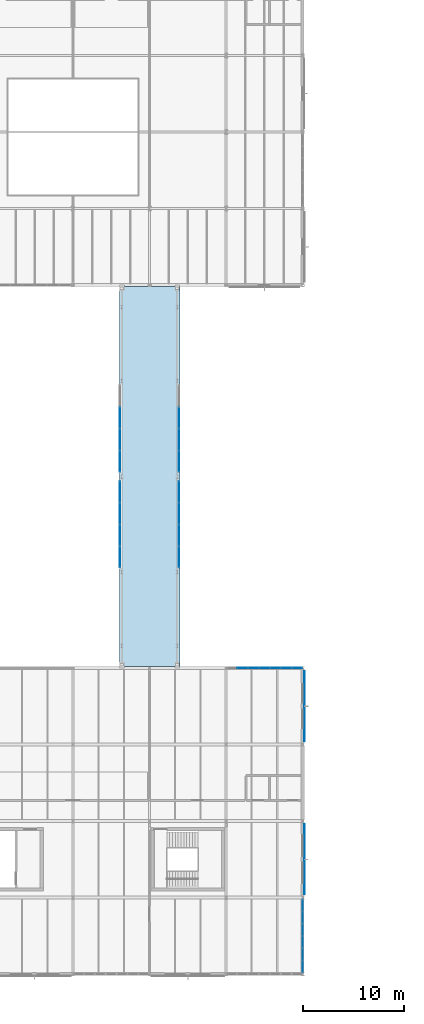
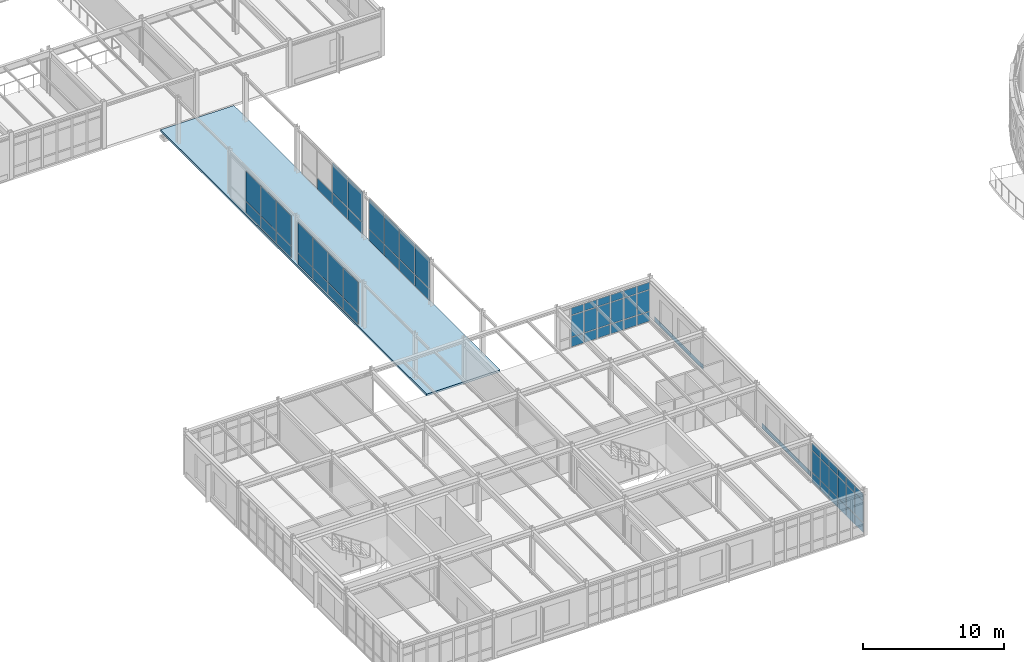
# One storey, part 120 of 165: 65 plates, 1 slab, 6 elements without a shape of their own.
"""IFC4 building model written with IfcOpenShell, lengths in metres."""

import ifcopenshell
import ifcopenshell.guid

model = None  # the IFC model being written
_history = None  # IfcOwnerHistory: only IFC2X3 demands one
_inside = {}  # id of a spatial element -> (the spatial element, [elements in it])
_under = {}  # id of a project, library or spatial element -> (it, [spatial elements below it])
_declared = {}  # id of a project -> (the project, [libraries it declares])
_typed = {}  # id of a type object -> (the type object, [elements of that type])
_made_of = {}  # id of a material, layer set ... -> (it, [elements and type objects made of it])


def new_model(schema):
    """Start an empty IFC model of exactly this schema.

    Asked for "IFC4X3", IfcOpenShell would pick the latest addendum, in which some entities
    have other attributes; the version numbers below select the first issue.
    IFC2X3 requires an IfcOwnerHistory on every rooted entity: one is made here for all.
    """
    global model, _history
    if schema == "IFC4X3":
        model = ifcopenshell.file(schema_version=(4, 3, 0, 0))
    else:
        model = ifcopenshell.file(schema=schema)
    _inside.clear()
    _under.clear()
    _declared.clear()
    _typed.clear()
    _made_of.clear()
    _history = None
    if model.schema == "IFC2X3":
        org = make("IfcOrganization", Name="unknown")
        user = make(
            "IfcPersonAndOrganization",
            ThePerson=make("IfcPerson", FamilyName="unknown"),
            TheOrganization=org,
        )
        app = make(
            "IfcApplication",
            ApplicationDeveloper=org,
            Version="unknown",
            ApplicationFullName="unknown",
            ApplicationIdentifier="unknown",
        )
        _history = make(
            "IfcOwnerHistory",
            OwningUser=user,
            OwningApplication=app,
            ChangeAction="ADDED",
            CreationDate=0,
        )
    return model


def make(cls, **values):
    """One entity of the class cls with the attributes given. An attribute that is None is left unset."""
    return model.create_entity(
        cls, **{name: value for name, value in values.items() if value is not None}
    )


def rooted(cls, **values):
    """An entity with a GlobalId (a new one), such as an element, a storey or a relation."""
    return make(cls, GlobalId=ifcopenshell.guid.new(), OwnerHistory=_history, **values)


def si_unit(unit_type, name, prefix=None):
    """IfcSIUnit, for example si_unit("LENGTHUNIT", "METRE", prefix="MILLI")."""
    return make("IfcSIUnit", UnitType=unit_type, Prefix=prefix, Name=name)


def assignment(units):
    """IfcUnitAssignment: the units of a project."""
    return None if units is None else make("IfcUnitAssignment", Units=units)


def point(xyz):
    """IfcCartesianPoint."""
    return None if xyz is None else make("IfcCartesianPoint", Coordinates=xyz)


def direction(xyz):
    """IfcDirection."""
    return None if xyz is None else make("IfcDirection", DirectionRatios=xyz)


def frame(location, z_axis=None, x_axis=None):
    """IfcAxis2Placement3D, a coordinate frame: its origin and axes. An axis left out is left unset."""
    return make(
        "IfcAxis2Placement3D",
        Location=point(location),
        Axis=direction(z_axis),
        RefDirection=direction(x_axis),
    )


def frame_2d(location, x_axis=None):
    """IfcAxis2Placement2D, a coordinate frame in the plane: its origin and x axis."""
    return make(
        "IfcAxis2Placement2D", Location=point(location), RefDirection=direction(x_axis)
    )


def origin():
    """The frame at (0, 0, 0) with its axes left unset."""
    return frame((0.0, 0.0, 0.0))


def origin_2d():
    """The frame at (0, 0) in the plane with its x axis left unset."""
    return frame_2d((0.0, 0.0))


def place(relative_to, where):
    """IfcLocalPlacement: puts the frame where relative to a parent placement (None: the world)."""
    return make(
        "IfcLocalPlacement", PlacementRelTo=relative_to, RelativePlacement=where
    )


def context(
    kind, dimensions, precision=None, world=None, true_north=None, identifier=None
):
    """IfcGeometricRepresentationContext, for example the 3D "Model" context."""
    return make(
        "IfcGeometricRepresentationContext",
        ContextIdentifier=identifier,
        ContextType=kind,
        CoordinateSpaceDimension=dimensions,
        Precision=precision,
        WorldCoordinateSystem=world,
        TrueNorth=true_north,
    )


def subcontext(parent, identifier, kind, view, scale=None):
    """IfcGeometricRepresentationSubContext, for example "Body" below "Model"."""
    return make(
        "IfcGeometricRepresentationSubContext",
        ContextIdentifier=identifier,
        ContextType=kind,
        ParentContext=parent,
        TargetScale=scale,
        TargetView=view,
    )


def project(units=None, contexts=None):
    """IfcProject with its units and contexts."""
    return rooted(
        "IfcProject",
        Name="project",
        RepresentationContexts=contexts,
        UnitsInContext=assignment(units),
    )


def spatial(cls, under=None, at=None, **own):
    """A site, building, storey or space (cls), placed at a placement, below another one or the project."""
    s = rooted(cls, ObjectPlacement=at, **own)
    if under is not None:
        _under.setdefault(under.id(), (under, []))[1].append(s)
    return s


def polyline(points):
    """IfcPolyline through the points."""
    return make("IfcPolyline", Points=[point(p) for p in points])


def profile(cls, at=None, kind="AREA", **sizes):
    """A parametric profile (cls). Its sizes go by their IFC names, for example OverallWidth=200.0."""
    return make(cls, ProfileType=kind, Position=at, **sizes)


def rectangle(**sizes):
    """IfcRectangleProfileDef."""
    return profile("IfcRectangleProfileDef", **sizes)


def outline(outer, holes=None, kind="AREA"):
    """IfcArbitraryClosedProfileDef: a profile drawn as a closed curve; with holes, ...WithVoids."""
    if holes is None:
        return make("IfcArbitraryClosedProfileDef", ProfileType=kind, OuterCurve=outer)
    return make(
        "IfcArbitraryProfileDefWithVoids",
        ProfileType=kind,
        OuterCurve=outer,
        InnerCurves=holes,
    )


def extrude(swept, where, along, depth):
    """IfcExtrudedAreaSolid: the profile swept, set in the frame where, extruded along a direction by depth."""
    return make(
        "IfcExtrudedAreaSolid",
        SweptArea=swept,
        Position=where,
        ExtrudedDirection=direction(along),
        Depth=depth,
    )


def shape(context_of_items, identifier, shape_type, items):
    """IfcShapeRepresentation: the items that make up one representation, for example the "Body"."""
    return make(
        "IfcShapeRepresentation",
        ContextOfItems=context_of_items,
        RepresentationIdentifier=identifier,
        RepresentationType=shape_type,
        Items=items,
    )


def material(Name=None, Category=None):
    """IfcMaterial."""
    return make("IfcMaterial", Name=Name, Category=Category)


def layer(
    of_material, thickness, ventilated=None, Name=None, Category=None, Priority=None
):
    """IfcMaterialLayer: one layer of a wall or slab, of a material (None: an air gap)."""
    return make(
        "IfcMaterialLayer",
        Material=of_material,
        LayerThickness=thickness,
        IsVentilated=ventilated,
        Name=Name,
        Category=Category,
        Priority=Priority,
    )


def layer_set(layers, Name=None):
    """IfcMaterialLayerSet."""
    return make("IfcMaterialLayerSet", MaterialLayers=layers, LayerSetName=Name)


def made_of(thing, what):
    """Note that an element or type object is made of a material, layer set ...; save() writes the relation."""
    if what is not None:
        _made_of.setdefault(what.id(), (what, []))[1].append(thing)
    return thing


def type_object(cls, material=None, **own):
    """A type object (cls), such as IfcWallType, which elements share."""
    return made_of(rooted(cls, **own), material)


def element(
    cls,
    number,
    at=None,
    inside=None,
    cuts=None,
    type_object=None,
    material=None,
    context=None,
    identifier="Body",
    shape_type=None,
    held_by="IfcProductDefinitionShape",
    body=None,
    shapes=None,
    **own,
):
    """One element of the class cls, such as IfcWall. Its Tag is "e" and its number.

    at: its placement. inside: the storey or other place that contains it. cuts: it is an
    opening in that element (IfcRelVoidsElement). A single representation is given by context,
    identifier, shape_type and body (its items); several are given by shapes. held_by: the class
    of the entity that holds the representations. save() writes the other relations.
    """
    e = rooted(cls, Tag="e%d" % number, ObjectPlacement=at, **own)
    if body is not None:
        shapes = [shape(context, identifier, shape_type, body)]
    if shapes is not None:
        e.Representation = make(held_by, Representations=shapes)
    if inside is not None:
        _inside.setdefault(inside.id(), (inside, []))[1].append(e)
    if cuts is not None:
        rooted(
            "IfcRelVoidsElement", RelatingBuildingElement=cuts, RelatedOpeningElement=e
        )
    if type_object is not None:
        _typed.setdefault(type_object.id(), (type_object, []))[1].append(e)
    return made_of(e, material)


def aggregate(whole, parts):
    """IfcRelAggregates: a whole, such as a stair, and the parts it consists of."""
    return rooted("IfcRelAggregates", RelatingObject=whole, RelatedObjects=parts)


def save(model, path):
    """Write the relations noted so far, then the file.

    IfcRelAggregates (storeys below a building ...), IfcRelContainedInSpatialStructure (elements
    in a storey), IfcRelDefinesByType, IfcRelAssociatesMaterial and IfcRelDeclares: one each for
    every whole, place, type object, material and project.
    """
    for whole, parts in _under.values():
        aggregate(whole, parts)
    for where, things in _inside.values():
        rooted(
            "IfcRelContainedInSpatialStructure",
            RelatedElements=things,
            RelatingStructure=where,
        )
    for kind, things in _typed.values():
        rooted("IfcRelDefinesByType", RelatedObjects=things, RelatingType=kind)
    for what, things in _made_of.values():
        rooted("IfcRelAssociatesMaterial", RelatedObjects=things, RelatingMaterial=what)
    for by, libraries in _declared.values():
        rooted("IfcRelDeclares", RelatingContext=by, RelatedDefinitions=libraries)
    model.write(path)


model = new_model("IFC4")

# Units and contexts
model_context = context("Model", 3, precision=1e-05, world=origin(), true_north=direction((0.0, 1.0)))
body_context = subcontext(model_context, "Body", "Model", "MODEL_VIEW")
ifc_project = project(units=[si_unit("LENGTHUNIT", "METRE"), si_unit("AREAUNIT", "SQUARE_METRE"), si_unit("VOLUMEUNIT", "CUBIC_METRE"), si_unit("PLANEANGLEUNIT", "RADIAN"), si_unit("MASSUNIT", "GRAM", prefix="KILO")], contexts=[model_context])

# Site, building, storey
site_placement = place(None, origin())
site = spatial("IfcSite", under=ifc_project, at=site_placement, CompositionType="ELEMENT")
building_placement = place(site_placement, origin())
building = spatial("IfcBuilding", under=site, at=building_placement, Name="Montecoro Central Library", CompositionType="ELEMENT")
storey_placement = place(building_placement, frame((0.0, 0.0, 5.10009765625)))
storey = spatial("IfcBuildingStorey", under=building, at=storey_placement, Name="L01", CompositionType="ELEMENT", Elevation=5.10009765625)

# Curtain wall, plates
ifc_material_1 = material(Name="Bronze-anodised aluminium and low-E glazing", Category="aluminium")
ifc_layer_1 = layer(ifc_material_1, 0.159912109375)
ifc_layer_set_1 = layer_set([ifc_layer_1], Name="Bronze-anodised aluminium and low-E glazing")
curtain_wall_type_1 = type_object("IfcCurtainWallType", Name="CWT-031", PredefinedType="NOTDEFINED", material=ifc_layer_set_1)
curtain_wall_1_placement = place(storey_placement, origin())
curtain_wall_1 = element("IfcCurtainWall", 1, at=curtain_wall_1_placement, inside=storey, type_object=curtain_wall_type_1, Name="V3-L01-CW-N4", PredefinedType="NOTDEFINED")
ifc_material_2 = material(Name="Laminated low-E double glazing", Category="glass")
ifc_layer_2 = layer(ifc_material_2, 0.02587890625)
ifc_layer_set_2 = layer_set([ifc_layer_2], Name="Laminated low-E double glazing")
plate_type_1 = type_object("IfcPlateType", Name="CWP-GLZ-01", PredefinedType="CURTAIN_PANEL", material=ifc_layer_set_2)
plate_1_placement = place(storey_placement, frame((42.438720703125, 35.39990234375, 0.059814453125), z_axis=(0.0, 0.0, 1.0), x_axis=(-1.0, 0.0, 0.0)))
plate_1 = element("IfcPlate", 2, at=plate_1_placement, type_object=plate_type_1, Name="CW-031 panel 1.1", PredefinedType="CURTAIN_PANEL", context=body_context, shape_type="SweptSolid", body=[
    extrude(rectangle(XDim=0.99462890625, YDim=0.02587890625, at=origin_2d()), origin(), (0.0, 0.0, 1.0), 0.81005859375),
])
plate_2_placement = place(storey_placement, frame((42.438720703125, 35.39990234375, 0.9296875), z_axis=(0.0, 0.0, 1.0), x_axis=(-1.0, 0.0, 0.0)))
plate_2 = element("IfcPlate", 3, at=plate_2_placement, type_object=plate_type_1, Name="CW-031 panel 1.2", PredefinedType="CURTAIN_PANEL", context=body_context, shape_type="SweptSolid", body=[
    extrude(rectangle(XDim=0.99462890625, YDim=0.02587890625, at=origin_2d()), origin(), (0.0, 0.0, 1.0), 1.820068359375),
])
plate_3_placement = place(storey_placement, frame((42.438720703125, 35.39990234375, 2.81005859375), z_axis=(0.0, 0.0, 1.0), x_axis=(-1.0, 0.0, 0.0)))
plate_3 = element("IfcPlate", 4, at=plate_3_placement, type_object=plate_type_1, Name="CW-031 panel 1.3", PredefinedType="CURTAIN_PANEL", context=body_context, shape_type="SweptSolid", body=[
    extrude(rectangle(XDim=0.99462890625, YDim=0.02587890625, at=origin_2d()), origin(), (0.0, 0.0, 1.0), 0.610107421875),
])
plate_4_placement = place(storey_placement, frame((41.369140625, 35.39990234375, 0.059814453125), z_axis=(0.0, 0.0, 1.0), x_axis=(-1.0, 0.0, 0.0)))
plate_4 = element("IfcPlate", 5, at=plate_4_placement, type_object=plate_type_1, Name="CW-031 panel 2.1", PredefinedType="CURTAIN_PANEL", context=body_context, shape_type="SweptSolid", body=[
    extrude(rectangle(XDim=1.024658203125, YDim=0.02587890625, at=origin_2d()), origin(), (0.0, 0.0, 1.0), 0.81005859375),
])
plate_5_placement = place(storey_placement, frame((41.369140625, 35.39990234375, 0.9296875), z_axis=(0.0, 0.0, 1.0), x_axis=(-1.0, 0.0, 0.0)))
plate_5 = element("IfcPlate", 6, at=plate_5_placement, type_object=plate_type_1, Name="CW-031 panel 2.2", PredefinedType="CURTAIN_PANEL", context=body_context, shape_type="SweptSolid", body=[
    extrude(rectangle(XDim=1.024658203125, YDim=0.02587890625, at=origin_2d()), origin(), (0.0, 0.0, 1.0), 1.820068359375),
])
plate_6_placement = place(storey_placement, frame((41.369140625, 35.39990234375, 2.81005859375), z_axis=(0.0, 0.0, 1.0), x_axis=(-1.0, 0.0, 0.0)))
plate_6 = element("IfcPlate", 7, at=plate_6_placement, type_object=plate_type_1, Name="CW-031 panel 2.3", PredefinedType="CURTAIN_PANEL", context=body_context, shape_type="SweptSolid", body=[
    extrude(rectangle(XDim=1.024658203125, YDim=0.02587890625, at=origin_2d()), origin(), (0.0, 0.0, 1.0), 0.610107421875),
])
plate_7_placement = place(storey_placement, frame((40.28466796875, 35.39990234375, 0.059814453125), z_axis=(0.0, 0.0, 1.0), x_axis=(-1.0, 0.0, 0.0)))
plate_7 = element("IfcPlate", 8, at=plate_7_placement, type_object=plate_type_1, Name="CW-031 panel 3.1", PredefinedType="CURTAIN_PANEL", context=body_context, shape_type="SweptSolid", body=[
    extrude(rectangle(XDim=1.024658203125, YDim=0.02587890625, at=origin_2d()), origin(), (0.0, 0.0, 1.0), 0.81005859375),
])
plate_8_placement = place(storey_placement, frame((40.28466796875, 35.39990234375, 0.9296875), z_axis=(0.0, 0.0, 1.0), x_axis=(-1.0, 0.0, 0.0)))
plate_8 = element("IfcPlate", 9, at=plate_8_placement, type_object=plate_type_1, Name="CW-031 panel 3.2", PredefinedType="CURTAIN_PANEL", context=body_context, shape_type="SweptSolid", body=[
    extrude(rectangle(XDim=1.024658203125, YDim=0.02587890625, at=origin_2d()), origin(), (0.0, 0.0, 1.0), 1.820068359375),
])
plate_9_placement = place(storey_placement, frame((40.28466796875, 35.39990234375, 2.81005859375), z_axis=(0.0, 0.0, 1.0), x_axis=(-1.0, 0.0, 0.0)))
plate_9 = element("IfcPlate", 10, at=plate_9_placement, type_object=plate_type_1, Name="CW-031 panel 3.3", PredefinedType="CURTAIN_PANEL", context=body_context, shape_type="SweptSolid", body=[
    extrude(rectangle(XDim=1.024658203125, YDim=0.02587890625, at=origin_2d()), origin(), (0.0, 0.0, 1.0), 0.610107421875),
])
plate_10_placement = place(storey_placement, frame((39.199951171875, 35.39990234375, 0.059814453125), z_axis=(0.0, 0.0, 1.0), x_axis=(-1.0, 0.0, 0.0)))
plate_10 = element("IfcPlate", 11, at=plate_10_placement, type_object=plate_type_1, Name="CW-031 panel 4.1", PredefinedType="CURTAIN_PANEL", context=body_context, shape_type="SweptSolid", body=[
    extrude(rectangle(XDim=1.024658203125, YDim=0.02587890625, at=origin_2d()), origin(), (0.0, 0.0, 1.0), 0.81005859375),
])
plate_11_placement = place(storey_placement, frame((39.199951171875, 35.39990234375, 0.9296875), z_axis=(0.0, 0.0, 1.0), x_axis=(-1.0, 0.0, 0.0)))
plate_11 = element("IfcPlate", 12, at=plate_11_placement, type_object=plate_type_1, Name="CW-031 panel 4.2", PredefinedType="CURTAIN_PANEL", context=body_context, shape_type="SweptSolid", body=[
    extrude(rectangle(XDim=1.024658203125, YDim=0.02587890625, at=origin_2d()), origin(), (0.0, 0.0, 1.0), 1.820068359375),
])
plate_12_placement = place(storey_placement, frame((39.199951171875, 35.39990234375, 2.81005859375), z_axis=(0.0, 0.0, 1.0), x_axis=(-1.0, 0.0, 0.0)))
plate_12 = element("IfcPlate", 13, at=plate_12_placement, type_object=plate_type_1, Name="CW-031 panel 4.3", PredefinedType="CURTAIN_PANEL", context=body_context, shape_type="SweptSolid", body=[
    extrude(rectangle(XDim=1.024658203125, YDim=0.02587890625, at=origin_2d()), origin(), (0.0, 0.0, 1.0), 0.610107421875),
])
plate_13_placement = place(storey_placement, frame((38.115478515625, 35.39990234375, 0.059814453125), z_axis=(0.0, 0.0, 1.0), x_axis=(-1.0, 0.0, 0.0)))
plate_13 = element("IfcPlate", 14, at=plate_13_placement, type_object=plate_type_1, Name="CW-031 panel 5.1", PredefinedType="CURTAIN_PANEL", context=body_context, shape_type="SweptSolid", body=[
    extrude(rectangle(XDim=1.024658203125, YDim=0.02587890625, at=origin_2d()), origin(), (0.0, 0.0, 1.0), 0.81005859375),
])
plate_14_placement = place(storey_placement, frame((38.115478515625, 35.39990234375, 0.9296875), z_axis=(0.0, 0.0, 1.0), x_axis=(-1.0, 0.0, 0.0)))
plate_14 = element("IfcPlate", 15, at=plate_14_placement, type_object=plate_type_1, Name="CW-031 panel 5.2", PredefinedType="CURTAIN_PANEL", context=body_context, shape_type="SweptSolid", body=[
    extrude(rectangle(XDim=1.024658203125, YDim=0.02587890625, at=origin_2d()), origin(), (0.0, 0.0, 1.0), 1.820068359375),
])
plate_15_placement = place(storey_placement, frame((38.115478515625, 35.39990234375, 2.81005859375), z_axis=(0.0, 0.0, 1.0), x_axis=(-1.0, 0.0, 0.0)))
plate_15 = element("IfcPlate", 16, at=plate_15_placement, type_object=plate_type_1, Name="CW-031 panel 5.3", PredefinedType="CURTAIN_PANEL", context=body_context, shape_type="SweptSolid", body=[
    extrude(rectangle(XDim=1.024658203125, YDim=0.02587890625, at=origin_2d()), origin(), (0.0, 0.0, 1.0), 0.610107421875),
])
plate_16_placement = place(storey_placement, frame((37.03076171875, 35.39990234375, 0.059814453125), z_axis=(0.0, 0.0, 1.0), x_axis=(-1.0, 0.0, 0.0)))
plate_16 = element("IfcPlate", 17, at=plate_16_placement, type_object=plate_type_1, Name="CW-031 panel 6.1", PredefinedType="CURTAIN_PANEL", context=body_context, shape_type="SweptSolid", body=[
    extrude(rectangle(XDim=1.024658203125, YDim=0.02587890625, at=origin_2d()), origin(), (0.0, 0.0, 1.0), 0.81005859375),
])
plate_17_placement = place(storey_placement, frame((37.03076171875, 35.39990234375, 0.9296875), z_axis=(0.0, 0.0, 1.0), x_axis=(-1.0, 0.0, 0.0)))
plate_17 = element("IfcPlate", 18, at=plate_17_placement, type_object=plate_type_1, Name="CW-031 panel 6.2", PredefinedType="CURTAIN_PANEL", context=body_context, shape_type="SweptSolid", body=[
    extrude(rectangle(XDim=1.024658203125, YDim=0.02587890625, at=origin_2d()), origin(), (0.0, 0.0, 1.0), 1.820068359375),
])
plate_18_placement = place(storey_placement, frame((37.03076171875, 35.39990234375, 2.81005859375), z_axis=(0.0, 0.0, 1.0), x_axis=(-1.0, 0.0, 0.0)))
plate_18 = element("IfcPlate", 19, at=plate_18_placement, type_object=plate_type_1, Name="CW-031 panel 6.3", PredefinedType="CURTAIN_PANEL", context=body_context, shape_type="SweptSolid", body=[
    extrude(rectangle(XDim=1.024658203125, YDim=0.02587890625, at=origin_2d()), origin(), (0.0, 0.0, 1.0), 0.610107421875),
])
aggregate(curtain_wall_1, [plate_1, plate_2, plate_3, plate_4, plate_5, plate_6, plate_7, plate_8, plate_9, plate_10, plate_11, plate_12, plate_13, plate_14, plate_15, plate_16, plate_17, plate_18])

ifc_layer_3 = layer(ifc_material_1, 0.159912109375)
ifc_layer_set_3 = layer_set([ifc_layer_3], Name="Bronze-anodised aluminium and low-E glazing")
curtain_wall_type_2 = type_object("IfcCurtainWallType", Name="CWT-079", PredefinedType="NOTDEFINED", material=ifc_layer_set_3)
curtain_wall_2_placement = place(storey_placement, origin())
curtain_wall_2 = element("IfcCurtainWall", 20, at=curtain_wall_2_placement, inside=storey, type_object=curtain_wall_type_2, Name="BR-W-L01-CW-W1", PredefinedType="NOTDEFINED")
plate_19_placement = place(storey_placement, frame((24.8798828125, 46.41748046875, 0.059814453125), z_axis=(0.0, 0.0, 1.0), x_axis=(0.0, 1.0, 0.0)))
plate_19 = element("IfcPlate", 21, at=plate_19_placement, type_object=plate_type_1, Name="CW-079 panel 1.1", PredefinedType="CURTAIN_PANEL", context=body_context, shape_type="SweptSolid", body=[
    extrude(rectangle(XDim=2.074951171875, YDim=0.02587890625, at=origin_2d()), origin(), (0.0, 0.0, 1.0), 0.9599609375),
])
plate_20_placement = place(storey_placement, frame((24.8798828125, 46.41748046875, 1.080078125), z_axis=(0.0, 0.0, 1.0), x_axis=(0.0, 1.0, 0.0)))
plate_20 = element("IfcPlate", 22, at=plate_20_placement, type_object=plate_type_1, Name="CW-079 panel 1.2", PredefinedType="CURTAIN_PANEL", context=body_context, shape_type="SweptSolid", body=[
    extrude(rectangle(XDim=2.074951171875, YDim=0.02587890625, at=origin_2d()), origin(), (0.0, 0.0, 1.0), 2.590087890625),
])
plate_21_placement = place(storey_placement, frame((24.8798828125, 48.5673828125, 0.059814453125), z_axis=(0.0, 0.0, 1.0), x_axis=(0.0, 1.0, 0.0)))
plate_21 = element("IfcPlate", 23, at=plate_21_placement, type_object=plate_type_1, Name="CW-079 panel 2.1", PredefinedType="CURTAIN_PANEL", context=body_context, shape_type="SweptSolid", body=[
    extrude(rectangle(XDim=2.10498046875, YDim=0.02587890625, at=origin_2d()), origin(), (0.0, 0.0, 1.0), 0.9599609375),
])
plate_22_placement = place(storey_placement, frame((24.8798828125, 48.5673828125, 1.080078125), z_axis=(0.0, 0.0, 1.0), x_axis=(0.0, 1.0, 0.0)))
plate_22 = element("IfcPlate", 24, at=plate_22_placement, type_object=plate_type_1, Name="CW-079 panel 2.2", PredefinedType="CURTAIN_PANEL", context=body_context, shape_type="SweptSolid", body=[
    extrude(rectangle(XDim=2.10498046875, YDim=0.02587890625, at=origin_2d()), origin(), (0.0, 0.0, 1.0), 2.590087890625),
])
plate_23_placement = place(storey_placement, frame((24.8798828125, 50.732421875, 0.059814453125), z_axis=(0.0, 0.0, 1.0), x_axis=(0.0, 1.0, 0.0)))
plate_23 = element("IfcPlate", 25, at=plate_23_placement, type_object=plate_type_1, Name="CW-079 panel 3.1", PredefinedType="CURTAIN_PANEL", context=body_context, shape_type="SweptSolid", body=[
    extrude(rectangle(XDim=2.10498046875, YDim=0.02587890625, at=origin_2d()), origin(), (0.0, 0.0, 1.0), 0.9599609375),
])
plate_24_placement = place(storey_placement, frame((24.8798828125, 50.732421875, 1.080078125), z_axis=(0.0, 0.0, 1.0), x_axis=(0.0, 1.0, 0.0)))
plate_24 = element("IfcPlate", 26, at=plate_24_placement, type_object=plate_type_1, Name="CW-079 panel 3.2", PredefinedType="CURTAIN_PANEL", context=body_context, shape_type="SweptSolid", body=[
    extrude(rectangle(XDim=2.10498046875, YDim=0.02587890625, at=origin_2d()), origin(), (0.0, 0.0, 1.0), 2.590087890625),
])
plate_25_placement = place(storey_placement, frame((24.8798828125, 52.882568359375, 0.059814453125), z_axis=(0.0, 0.0, 1.0), x_axis=(0.0, 1.0, 0.0)))
plate_25 = element("IfcPlate", 27, at=plate_25_placement, type_object=plate_type_1, Name="CW-079 panel 4.1", PredefinedType="CURTAIN_PANEL", context=body_context, shape_type="SweptSolid", body=[
    extrude(rectangle(XDim=2.074951171875, YDim=0.02587890625, at=origin_2d()), origin(), (0.0, 0.0, 1.0), 0.9599609375),
])
plate_26_placement = place(storey_placement, frame((24.8798828125, 52.882568359375, 1.080078125), z_axis=(0.0, 0.0, 1.0), x_axis=(0.0, 1.0, 0.0)))
plate_26 = element("IfcPlate", 28, at=plate_26_placement, type_object=plate_type_1, Name="CW-079 panel 4.2", PredefinedType="CURTAIN_PANEL", context=body_context, shape_type="SweptSolid", body=[
    extrude(rectangle(XDim=2.074951171875, YDim=0.02587890625, at=origin_2d()), origin(), (0.0, 0.0, 1.0), 2.590087890625),
])
aggregate(curtain_wall_2, [plate_19, plate_20, plate_21, plate_22, plate_23, plate_24, plate_25, plate_26])

ifc_layer_4 = layer(ifc_material_1, 0.159912109375)
ifc_layer_set_4 = layer_set([ifc_layer_4], Name="Bronze-anodised aluminium and low-E glazing")
curtain_wall_type_3 = type_object("IfcCurtainWallType", Name="CWT-080", PredefinedType="NOTDEFINED", material=ifc_layer_set_4)
curtain_wall_3_placement = place(storey_placement, origin())
curtain_wall_3 = element("IfcCurtainWall", 29, at=curtain_wall_3_placement, inside=storey, type_object=curtain_wall_type_3, Name="BR-W-L01-CW-W2", PredefinedType="NOTDEFINED")
plate_27_placement = place(storey_placement, frame((24.8798828125, 55.91748046875, 0.059814453125), z_axis=(0.0, 0.0, 1.0), x_axis=(0.0, 1.0, 0.0)))
plate_27 = element("IfcPlate", 30, at=plate_27_placement, type_object=plate_type_1, Name="CW-080 panel 1.1", PredefinedType="CURTAIN_PANEL", context=body_context, shape_type="SweptSolid", body=[
    extrude(rectangle(XDim=2.074951171875, YDim=0.02587890625, at=origin_2d()), origin(), (0.0, 0.0, 1.0), 0.9599609375),
])
plate_28_placement = place(storey_placement, frame((24.8798828125, 55.91748046875, 1.080078125), z_axis=(0.0, 0.0, 1.0), x_axis=(0.0, 1.0, 0.0)))
plate_28 = element("IfcPlate", 31, at=plate_28_placement, type_object=plate_type_1, Name="CW-080 panel 1.2", PredefinedType="CURTAIN_PANEL", context=body_context, shape_type="SweptSolid", body=[
    extrude(rectangle(XDim=2.074951171875, YDim=0.02587890625, at=origin_2d()), origin(), (0.0, 0.0, 1.0), 2.590087890625),
])
plate_29_placement = place(storey_placement, frame((24.8798828125, 58.0673828125, 0.059814453125), z_axis=(0.0, 0.0, 1.0), x_axis=(0.0, 1.0, 0.0)))
plate_29 = element("IfcPlate", 32, at=plate_29_placement, type_object=plate_type_1, Name="CW-080 panel 2.1", PredefinedType="CURTAIN_PANEL", context=body_context, shape_type="SweptSolid", body=[
    extrude(rectangle(XDim=2.10498046875, YDim=0.02587890625, at=origin_2d()), origin(), (0.0, 0.0, 1.0), 0.9599609375),
])
plate_30_placement = place(storey_placement, frame((24.8798828125, 58.0673828125, 1.080078125), z_axis=(0.0, 0.0, 1.0), x_axis=(0.0, 1.0, 0.0)))
plate_30 = element("IfcPlate", 33, at=plate_30_placement, type_object=plate_type_1, Name="CW-080 panel 2.2", PredefinedType="CURTAIN_PANEL", context=body_context, shape_type="SweptSolid", body=[
    extrude(rectangle(XDim=2.10498046875, YDim=0.02587890625, at=origin_2d()), origin(), (0.0, 0.0, 1.0), 2.590087890625),
])
plate_31_placement = place(storey_placement, frame((24.8798828125, 60.232421875, 0.059814453125), z_axis=(0.0, 0.0, 1.0), x_axis=(0.0, 1.0, 0.0)))
plate_31 = element("IfcPlate", 34, at=plate_31_placement, type_object=plate_type_1, Name="CW-080 panel 3.1", PredefinedType="CURTAIN_PANEL", context=body_context, shape_type="SweptSolid", body=[
    extrude(rectangle(XDim=2.10498046875, YDim=0.02587890625, at=origin_2d()), origin(), (0.0, 0.0, 1.0), 0.9599609375),
])
plate_32_placement = place(storey_placement, frame((24.8798828125, 60.232421875, 1.080078125), z_axis=(0.0, 0.0, 1.0), x_axis=(0.0, 1.0, 0.0)))
plate_32 = element("IfcPlate", 35, at=plate_32_placement, type_object=plate_type_1, Name="CW-080 panel 3.2", PredefinedType="CURTAIN_PANEL", context=body_context, shape_type="SweptSolid", body=[
    extrude(rectangle(XDim=2.10498046875, YDim=0.02587890625, at=origin_2d()), origin(), (0.0, 0.0, 1.0), 2.590087890625),
])
aggregate(curtain_wall_3, [plate_27, plate_28, plate_29, plate_30, plate_31, plate_32])

curtain_wall_4_placement = place(storey_placement, origin())
curtain_wall_4 = element("IfcCurtainWall", 36, at=curtain_wall_4_placement, inside=storey, type_object=curtain_wall_type_2, Name="BR-W-L01-CW-E1", PredefinedType="NOTDEFINED")
plate_33_placement = place(storey_placement, frame((30.719970703125, 46.41748046875, 0.059814453125), z_axis=(0.0, 0.0, 1.0), x_axis=(0.0, 1.0, 0.0)))
plate_33 = element("IfcPlate", 37, at=plate_33_placement, type_object=plate_type_1, Name="CW-079 panel 1.1", PredefinedType="CURTAIN_PANEL", context=body_context, shape_type="SweptSolid", body=[
    extrude(rectangle(XDim=2.074951171875, YDim=0.02587890625, at=origin_2d()), origin(), (0.0, 0.0, 1.0), 0.9599609375),
])
plate_34_placement = place(storey_placement, frame((30.719970703125, 46.41748046875, 1.080078125), z_axis=(0.0, 0.0, 1.0), x_axis=(0.0, 1.0, 0.0)))
plate_34 = element("IfcPlate", 38, at=plate_34_placement, type_object=plate_type_1, Name="CW-079 panel 1.2", PredefinedType="CURTAIN_PANEL", context=body_context, shape_type="SweptSolid", body=[
    extrude(rectangle(XDim=2.074951171875, YDim=0.02587890625, at=origin_2d()), origin(), (0.0, 0.0, 1.0), 2.590087890625),
])
plate_35_placement = place(storey_placement, frame((30.719970703125, 48.5673828125, 0.059814453125), z_axis=(0.0, 0.0, 1.0), x_axis=(0.0, 1.0, 0.0)))
plate_35 = element("IfcPlate", 39, at=plate_35_placement, type_object=plate_type_1, Name="CW-079 panel 2.1", PredefinedType="CURTAIN_PANEL", context=body_context, shape_type="SweptSolid", body=[
    extrude(rectangle(XDim=2.10498046875, YDim=0.02587890625, at=origin_2d()), origin(), (0.0, 0.0, 1.0), 0.9599609375),
])
plate_36_placement = place(storey_placement, frame((30.719970703125, 48.5673828125, 1.080078125), z_axis=(0.0, 0.0, 1.0), x_axis=(0.0, 1.0, 0.0)))
plate_36 = element("IfcPlate", 40, at=plate_36_placement, type_object=plate_type_1, Name="CW-079 panel 2.2", PredefinedType="CURTAIN_PANEL", context=body_context, shape_type="SweptSolid", body=[
    extrude(rectangle(XDim=2.10498046875, YDim=0.02587890625, at=origin_2d()), origin(), (0.0, 0.0, 1.0), 2.590087890625),
])
plate_37_placement = place(storey_placement, frame((30.719970703125, 50.732421875, 0.059814453125), z_axis=(0.0, 0.0, 1.0), x_axis=(0.0, 1.0, 0.0)))
plate_37 = element("IfcPlate", 41, at=plate_37_placement, type_object=plate_type_1, Name="CW-079 panel 3.1", PredefinedType="CURTAIN_PANEL", context=body_context, shape_type="SweptSolid", body=[
    extrude(rectangle(XDim=2.10498046875, YDim=0.02587890625, at=origin_2d()), origin(), (0.0, 0.0, 1.0), 0.9599609375),
])
plate_38_placement = place(storey_placement, frame((30.719970703125, 50.732421875, 1.080078125), z_axis=(0.0, 0.0, 1.0), x_axis=(0.0, 1.0, 0.0)))
plate_38 = element("IfcPlate", 42, at=plate_38_placement, type_object=plate_type_1, Name="CW-079 panel 3.2", PredefinedType="CURTAIN_PANEL", context=body_context, shape_type="SweptSolid", body=[
    extrude(rectangle(XDim=2.10498046875, YDim=0.02587890625, at=origin_2d()), origin(), (0.0, 0.0, 1.0), 2.590087890625),
])
plate_39_placement = place(storey_placement, frame((30.719970703125, 52.882568359375, 0.059814453125), z_axis=(0.0, 0.0, 1.0), x_axis=(0.0, 1.0, 0.0)))
plate_39 = element("IfcPlate", 43, at=plate_39_placement, type_object=plate_type_1, Name="CW-079 panel 4.1", PredefinedType="CURTAIN_PANEL", context=body_context, shape_type="SweptSolid", body=[
    extrude(rectangle(XDim=2.074951171875, YDim=0.02587890625, at=origin_2d()), origin(), (0.0, 0.0, 1.0), 0.9599609375),
])
plate_40_placement = place(storey_placement, frame((30.719970703125, 52.882568359375, 1.080078125), z_axis=(0.0, 0.0, 1.0), x_axis=(0.0, 1.0, 0.0)))
plate_40 = element("IfcPlate", 44, at=plate_40_placement, type_object=plate_type_1, Name="CW-079 panel 4.2", PredefinedType="CURTAIN_PANEL", context=body_context, shape_type="SweptSolid", body=[
    extrude(rectangle(XDim=2.074951171875, YDim=0.02587890625, at=origin_2d()), origin(), (0.0, 0.0, 1.0), 2.590087890625),
])
aggregate(curtain_wall_4, [plate_33, plate_34, plate_35, plate_36, plate_37, plate_38, plate_39, plate_40])

curtain_wall_5_placement = place(storey_placement, origin())
curtain_wall_5 = element("IfcCurtainWall", 45, at=curtain_wall_5_placement, inside=storey, type_object=curtain_wall_type_3, Name="BR-W-L01-CW-E2", PredefinedType="NOTDEFINED")
plate_41_placement = place(storey_placement, frame((30.719970703125, 55.91748046875, 0.059814453125), z_axis=(0.0, 0.0, 1.0), x_axis=(0.0, 1.0, 0.0)))
plate_41 = element("IfcPlate", 46, at=plate_41_placement, type_object=plate_type_1, Name="CW-080 panel 1.1", PredefinedType="CURTAIN_PANEL", context=body_context, shape_type="SweptSolid", body=[
    extrude(rectangle(XDim=2.074951171875, YDim=0.02587890625, at=origin_2d()), origin(), (0.0, 0.0, 1.0), 0.9599609375),
])
plate_42_placement = place(storey_placement, frame((30.719970703125, 55.91748046875, 1.080078125), z_axis=(0.0, 0.0, 1.0), x_axis=(0.0, 1.0, 0.0)))
plate_42 = element("IfcPlate", 47, at=plate_42_placement, type_object=plate_type_1, Name="CW-080 panel 1.2", PredefinedType="CURTAIN_PANEL", context=body_context, shape_type="SweptSolid", body=[
    extrude(rectangle(XDim=2.074951171875, YDim=0.02587890625, at=origin_2d()), origin(), (0.0, 0.0, 1.0), 2.590087890625),
])
plate_43_placement = place(storey_placement, frame((30.719970703125, 58.0673828125, 0.059814453125), z_axis=(0.0, 0.0, 1.0), x_axis=(0.0, 1.0, 0.0)))
plate_43 = element("IfcPlate", 48, at=plate_43_placement, type_object=plate_type_1, Name="CW-080 panel 2.1", PredefinedType="CURTAIN_PANEL", context=body_context, shape_type="SweptSolid", body=[
    extrude(rectangle(XDim=2.10498046875, YDim=0.02587890625, at=origin_2d()), origin(), (0.0, 0.0, 1.0), 0.9599609375),
])
plate_44_placement = place(storey_placement, frame((30.719970703125, 58.0673828125, 1.080078125), z_axis=(0.0, 0.0, 1.0), x_axis=(0.0, 1.0, 0.0)))
plate_44 = element("IfcPlate", 49, at=plate_44_placement, type_object=plate_type_1, Name="CW-080 panel 2.2", PredefinedType="CURTAIN_PANEL", context=body_context, shape_type="SweptSolid", body=[
    extrude(rectangle(XDim=2.10498046875, YDim=0.02587890625, at=origin_2d()), origin(), (0.0, 0.0, 1.0), 2.590087890625),
])
plate_45_placement = place(storey_placement, frame((30.719970703125, 60.232421875, 0.059814453125), z_axis=(0.0, 0.0, 1.0), x_axis=(0.0, 1.0, 0.0)))
plate_45 = element("IfcPlate", 50, at=plate_45_placement, type_object=plate_type_1, Name="CW-080 panel 3.1", PredefinedType="CURTAIN_PANEL", context=body_context, shape_type="SweptSolid", body=[
    extrude(rectangle(XDim=2.10498046875, YDim=0.02587890625, at=origin_2d()), origin(), (0.0, 0.0, 1.0), 0.9599609375),
])
aggregate(curtain_wall_5, [plate_41, plate_42, plate_43, plate_44, plate_45])

ifc_layer_5 = layer(ifc_material_1, 0.159912109375)
ifc_layer_set_5 = layer_set([ifc_layer_5], Name="Bronze-anodised aluminium and low-E glazing")
curtain_wall_type_4 = type_object("IfcCurtainWallType", Name="CWT-030", PredefinedType="NOTDEFINED", material=ifc_layer_set_5)
curtain_wall_6_placement = place(storey_placement, origin())
curtain_wall_6 = element("IfcCurtainWall", 51, at=curtain_wall_6_placement, inside=storey, type_object=curtain_wall_type_4, Name="V3-L01-CW-E0", PredefinedType="NOTDEFINED")
ifc_layer_6 = layer(ifc_material_2, 0.030029296875)
ifc_layer_set_6 = layer_set([ifc_layer_6], Name="Laminated low-E double glazing")
plate_type_2 = type_object("IfcPlateType", Name="CWP-GLZ-02", PredefinedType="CURTAIN_PANEL", material=ifc_layer_set_6)
plate_46_placement = place(storey_placement, frame((43.0, 5.763427734375, 0.059814453125), z_axis=(0.0, 0.0, 1.0), x_axis=(0.0, 1.0, 0.0)))
plate_46 = element("IfcPlate", 52, at=plate_46_placement, type_object=plate_type_2, Name="CW-030 panel 1.1", PredefinedType="CURTAIN_PANEL", context=body_context, shape_type="SweptSolid", body=[
    extrude(rectangle(XDim=1.130615234375, YDim=0.030029296875, at=origin_2d()), origin(), (0.0, 0.0, 1.0), 0.81005859375),
])
plate_47_placement = place(storey_placement, frame((43.0, 5.763427734375, 0.9296875), z_axis=(0.0, 0.0, 1.0), x_axis=(0.0, 1.0, 0.0)))
plate_47 = element("IfcPlate", 53, at=plate_47_placement, type_object=plate_type_2, Name="CW-030 panel 1.2", PredefinedType="CURTAIN_PANEL", context=body_context, shape_type="SweptSolid", body=[
    extrude(rectangle(XDim=1.130615234375, YDim=0.030029296875, at=origin_2d()), origin(), (0.0, 0.0, 1.0), 1.820068359375),
])
plate_48_placement = place(storey_placement, frame((43.0, 5.763427734375, 2.81005859375), z_axis=(0.0, 0.0, 1.0), x_axis=(0.0, 1.0, 0.0)))
plate_48 = element("IfcPlate", 54, at=plate_48_placement, type_object=plate_type_2, Name="CW-030 panel 1.3", PredefinedType="CURTAIN_PANEL", context=body_context, shape_type="SweptSolid", body=[
    extrude(rectangle(XDim=1.130615234375, YDim=0.030029296875, at=origin_2d()), origin(), (0.0, 0.0, 1.0), 0.610107421875),
])
plate_49_placement = place(storey_placement, frame((43.0, 6.968994140625, 0.059814453125), z_axis=(0.0, 0.0, 1.0), x_axis=(0.0, 1.0, 0.0)))
plate_49 = element("IfcPlate", 55, at=plate_49_placement, type_object=plate_type_2, Name="CW-030 panel 2.1", PredefinedType="CURTAIN_PANEL", context=body_context, shape_type="SweptSolid", body=[
    extrude(rectangle(XDim=1.16064453125, YDim=0.030029296875, at=origin_2d()), origin(), (0.0, 0.0, 1.0), 0.81005859375),
])
plate_50_placement = place(storey_placement, frame((43.0, 6.968994140625, 0.9296875), z_axis=(0.0, 0.0, 1.0), x_axis=(0.0, 1.0, 0.0)))
plate_50 = element("IfcPlate", 56, at=plate_50_placement, type_object=plate_type_2, Name="CW-030 panel 2.2", PredefinedType="CURTAIN_PANEL", context=body_context, shape_type="SweptSolid", body=[
    extrude(rectangle(XDim=1.16064453125, YDim=0.030029296875, at=origin_2d()), origin(), (0.0, 0.0, 1.0), 1.820068359375),
])
plate_51_placement = place(storey_placement, frame((43.0, 6.968994140625, 2.81005859375), z_axis=(0.0, 0.0, 1.0), x_axis=(0.0, 1.0, 0.0)))
plate_51 = element("IfcPlate", 57, at=plate_51_placement, type_object=plate_type_2, Name="CW-030 panel 2.3", PredefinedType="CURTAIN_PANEL", context=body_context, shape_type="SweptSolid", body=[
    extrude(rectangle(XDim=1.16064453125, YDim=0.030029296875, at=origin_2d()), origin(), (0.0, 0.0, 1.0), 0.610107421875),
])
plate_52_placement = place(storey_placement, frame((43.0, 8.189697265625, 0.059814453125), z_axis=(0.0, 0.0, 1.0), x_axis=(0.0, 1.0, 0.0)))
plate_52 = element("IfcPlate", 58, at=plate_52_placement, type_object=plate_type_2, Name="CW-030 panel 3.1", PredefinedType="CURTAIN_PANEL", context=body_context, shape_type="SweptSolid", body=[
    extrude(rectangle(XDim=1.16064453125, YDim=0.030029296875, at=origin_2d()), origin(), (0.0, 0.0, 1.0), 0.81005859375),
])
plate_53_placement = place(storey_placement, frame((43.0, 8.189697265625, 0.9296875), z_axis=(0.0, 0.0, 1.0), x_axis=(0.0, 1.0, 0.0)))
plate_53 = element("IfcPlate", 59, at=plate_53_placement, type_object=plate_type_2, Name="CW-030 panel 3.2", PredefinedType="CURTAIN_PANEL", context=body_context, shape_type="SweptSolid", body=[
    extrude(rectangle(XDim=1.16064453125, YDim=0.030029296875, at=origin_2d()), origin(), (0.0, 0.0, 1.0), 1.820068359375),
])
plate_54_placement = place(storey_placement, frame((43.0, 8.189697265625, 2.81005859375), z_axis=(0.0, 0.0, 1.0), x_axis=(0.0, 1.0, 0.0)))
plate_54 = element("IfcPlate", 60, at=plate_54_placement, type_object=plate_type_2, Name="CW-030 panel 3.3", PredefinedType="CURTAIN_PANEL", context=body_context, shape_type="SweptSolid", body=[
    extrude(rectangle(XDim=1.16064453125, YDim=0.030029296875, at=origin_2d()), origin(), (0.0, 0.0, 1.0), 0.610107421875),
])
plate_55_placement = place(storey_placement, frame((43.0, 9.410400390625, 0.059814453125), z_axis=(0.0, 0.0, 1.0), x_axis=(0.0, 1.0, 0.0)))
plate_55 = element("IfcPlate", 61, at=plate_55_placement, type_object=plate_type_2, Name="CW-030 panel 4.1", PredefinedType="CURTAIN_PANEL", context=body_context, shape_type="SweptSolid", body=[
    extrude(rectangle(XDim=1.16064453125, YDim=0.030029296875, at=origin_2d()), origin(), (0.0, 0.0, 1.0), 0.81005859375),
])
plate_56_placement = place(storey_placement, frame((43.0, 9.410400390625, 0.9296875), z_axis=(0.0, 0.0, 1.0), x_axis=(0.0, 1.0, 0.0)))
plate_56 = element("IfcPlate", 62, at=plate_56_placement, type_object=plate_type_2, Name="CW-030 panel 4.2", PredefinedType="CURTAIN_PANEL", context=body_context, shape_type="SweptSolid", body=[
    extrude(rectangle(XDim=1.16064453125, YDim=0.030029296875, at=origin_2d()), origin(), (0.0, 0.0, 1.0), 1.820068359375),
])
plate_57_placement = place(storey_placement, frame((43.0, 9.410400390625, 2.81005859375), z_axis=(0.0, 0.0, 1.0), x_axis=(0.0, 1.0, 0.0)))
plate_57 = element("IfcPlate", 63, at=plate_57_placement, type_object=plate_type_2, Name="CW-030 panel 4.3", PredefinedType="CURTAIN_PANEL", context=body_context, shape_type="SweptSolid", body=[
    extrude(rectangle(XDim=1.16064453125, YDim=0.030029296875, at=origin_2d()), origin(), (0.0, 0.0, 1.0), 0.610107421875),
])
plate_58_placement = place(storey_placement, frame((43.0, 10.631103515625, 0.059814453125), z_axis=(0.0, 0.0, 1.0), x_axis=(0.0, 1.0, 0.0)))
plate_58 = element("IfcPlate", 64, at=plate_58_placement, type_object=plate_type_2, Name="CW-030 panel 5.1", PredefinedType="CURTAIN_PANEL", context=body_context, shape_type="SweptSolid", body=[
    extrude(rectangle(XDim=1.16064453125, YDim=0.030029296875, at=origin_2d()), origin(), (0.0, 0.0, 1.0), 0.81005859375),
])
plate_59_placement = place(storey_placement, frame((43.0, 10.631103515625, 0.9296875), z_axis=(0.0, 0.0, 1.0), x_axis=(0.0, 1.0, 0.0)))
plate_59 = element("IfcPlate", 65, at=plate_59_placement, type_object=plate_type_2, Name="CW-030 panel 5.2", PredefinedType="CURTAIN_PANEL", context=body_context, shape_type="SweptSolid", body=[
    extrude(rectangle(XDim=1.16064453125, YDim=0.030029296875, at=origin_2d()), origin(), (0.0, 0.0, 1.0), 1.820068359375),
])
plate_60_placement = place(storey_placement, frame((43.0, 10.631103515625, 2.81005859375), z_axis=(0.0, 0.0, 1.0), x_axis=(0.0, 1.0, 0.0)))
plate_60 = element("IfcPlate", 66, at=plate_60_placement, type_object=plate_type_2, Name="CW-030 panel 5.3", PredefinedType="CURTAIN_PANEL", context=body_context, shape_type="SweptSolid", body=[
    extrude(rectangle(XDim=1.16064453125, YDim=0.030029296875, at=origin_2d()), origin(), (0.0, 0.0, 1.0), 0.610107421875),
])
plate_61_placement = place(storey_placement, frame((43.0, 11.836669921875, 0.059814453125), z_axis=(0.0, 0.0, 1.0), x_axis=(0.0, 1.0, 0.0)))
plate_61 = element("IfcPlate", 67, at=plate_61_placement, type_object=plate_type_2, Name="CW-030 panel 6.1", PredefinedType="CURTAIN_PANEL", context=body_context, shape_type="SweptSolid", body=[
    extrude(rectangle(XDim=1.130615234375, YDim=0.030029296875, at=origin_2d()), origin(), (0.0, 0.0, 1.0), 0.81005859375),
])
plate_62_placement = place(storey_placement, frame((43.0, 11.836669921875, 0.9296875), z_axis=(0.0, 0.0, 1.0), x_axis=(0.0, 1.0, 0.0)))
plate_62 = element("IfcPlate", 68, at=plate_62_placement, type_object=plate_type_2, Name="CW-030 panel 6.2", PredefinedType="CURTAIN_PANEL", context=body_context, shape_type="SweptSolid", body=[
    extrude(rectangle(XDim=1.130615234375, YDim=0.030029296875, at=origin_2d()), origin(), (0.0, 0.0, 1.0), 1.820068359375),
])
plate_63_placement = place(storey_placement, frame((43.0, 11.836669921875, 2.81005859375), z_axis=(0.0, 0.0, 1.0), x_axis=(0.0, 1.0, 0.0)))
plate_63 = element("IfcPlate", 69, at=plate_63_placement, type_object=plate_type_2, Name="CW-030 panel 6.3", PredefinedType="CURTAIN_PANEL", context=body_context, shape_type="SweptSolid", body=[
    extrude(rectangle(XDim=1.130615234375, YDim=0.030029296875, at=origin_2d()), origin(), (0.0, 0.0, 1.0), 0.610107421875),
])
aggregate(curtain_wall_6, [plate_46, plate_47, plate_48, plate_49, plate_50, plate_51, plate_52, plate_53, plate_54, plate_55, plate_56, plate_57, plate_58, plate_59, plate_60, plate_61, plate_62, plate_63])

# Plates
ifc_material_3 = material(Name="Architectural bronze spandrel plate", Category="aluminium")
ifc_layer_7 = layer(ifc_material_3, 0.02197265625)
ifc_layer_set_7 = layer_set([ifc_layer_7], Name="Architectural bronze spandrel plate")
plate_type_3 = type_object("IfcPlateType", Name="PLT-SPN-01", PredefinedType="SHEET", material=ifc_layer_set_7)
plate_64_placement = place(storey_placement, frame((43.173583984375, 31.60009765625, 0.159912109375), z_axis=(0.0, 0.0, 1.0), x_axis=(0.0, 1.0, 0.0)))
element("IfcPlate", 70, at=plate_64_placement, inside=storey, type_object=plate_type_3, Name="V3-L01-SPN-E3", PredefinedType="SHEET", context=body_context, shape_type="SweptSolid", body=[
    extrude(rectangle(XDim=6.924072265625, YDim=0.02197265625, at=origin_2d()), origin(), (0.0, 0.0, 1.0), 0.39990234375),
])
ifc_layer_8 = layer(ifc_material_3, 0.035888671875)
ifc_layer_set_8 = layer_set([ifc_layer_8], Name="Architectural bronze spandrel plate")
plate_type_4 = type_object("IfcPlateType", Name="PLT-SPN-03", PredefinedType="SHEET", material=ifc_layer_set_8)
plate_65_placement = place(storey_placement, frame((43.180419921875, 16.39990234375, 0.159912109375), z_axis=(0.0, 0.0, 1.0), x_axis=(0.0, 1.0, 0.0)))
element("IfcPlate", 71, at=plate_65_placement, inside=storey, type_object=plate_type_4, Name="V3-L01-SPN-E1", PredefinedType="SHEET", context=body_context, shape_type="SweptSolid", body=[
    extrude(rectangle(XDim=6.924072265625, YDim=0.035888671875, at=origin_2d()), origin(), (0.0, 0.0, 1.0), 0.39990234375),
])

# Slab
ifc_material_4 = material(Name="Concrete C32/40", Category="concrete")
ifc_layer_9 = layer(ifc_material_4, 0.18505859375)
ifc_layer_set_9 = layer_set([ifc_layer_9], Name="Concrete C32/40")
slab_type = type_object("IfcSlabType", Name="SL-BRG-185", PredefinedType="FLOOR", material=ifc_layer_set_9)
slab_placement = place(storey_placement, frame((0.0, 0.0, -0.18505859375)))
element("IfcSlab", 72, at=slab_placement, inside=storey, type_object=slab_type, Name="BR-W Skybridge Link Bridge Slab", PredefinedType="FLOOR", context=body_context, shape_type="SweptSolid", body=[
    extrude(outline(polyline([(24.800048828125, 35.5400390625), (30.800048828125, 35.5400390625), (30.800048828125, 73.260009765625), (24.800048828125, 73.260009765625), (24.800048828125, 35.5400390625)])), origin(), (0.0, 0.0, 1.0), 0.18505859375),
])

save(model, "model.ifc")
